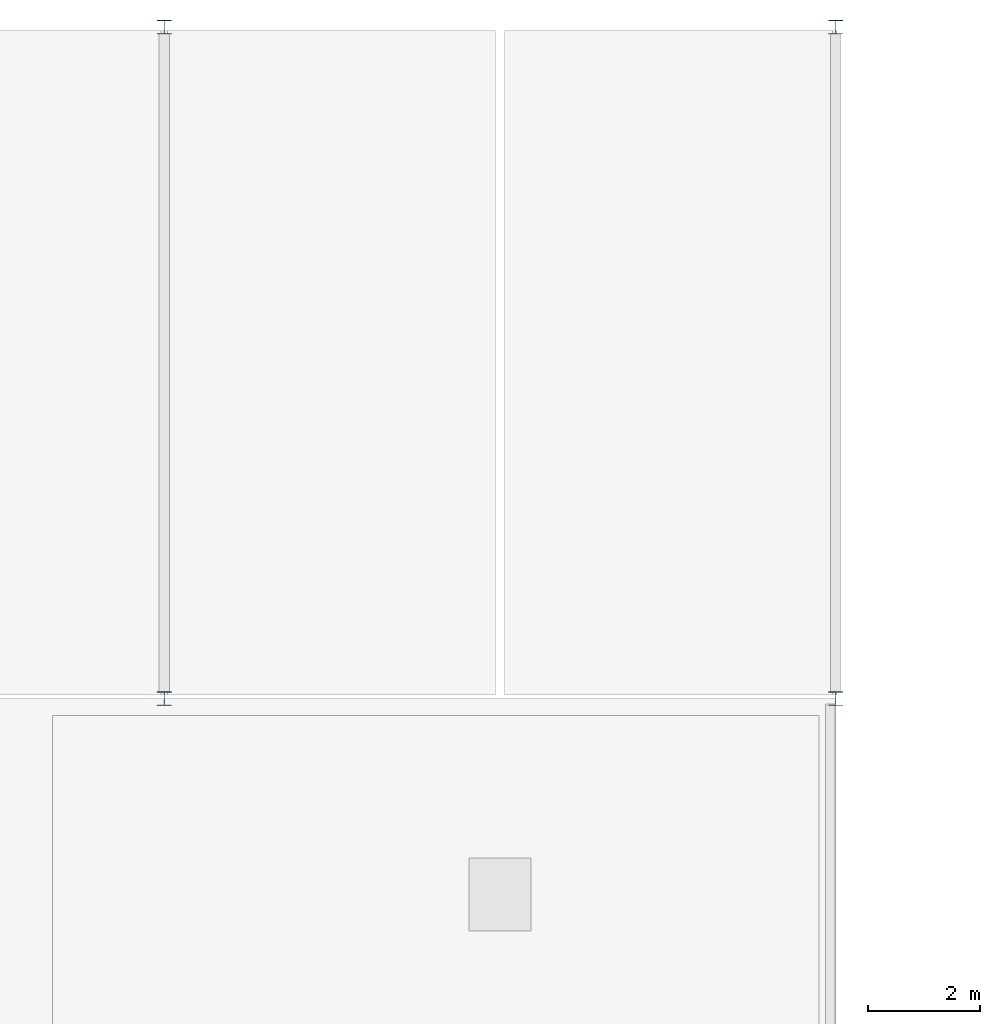
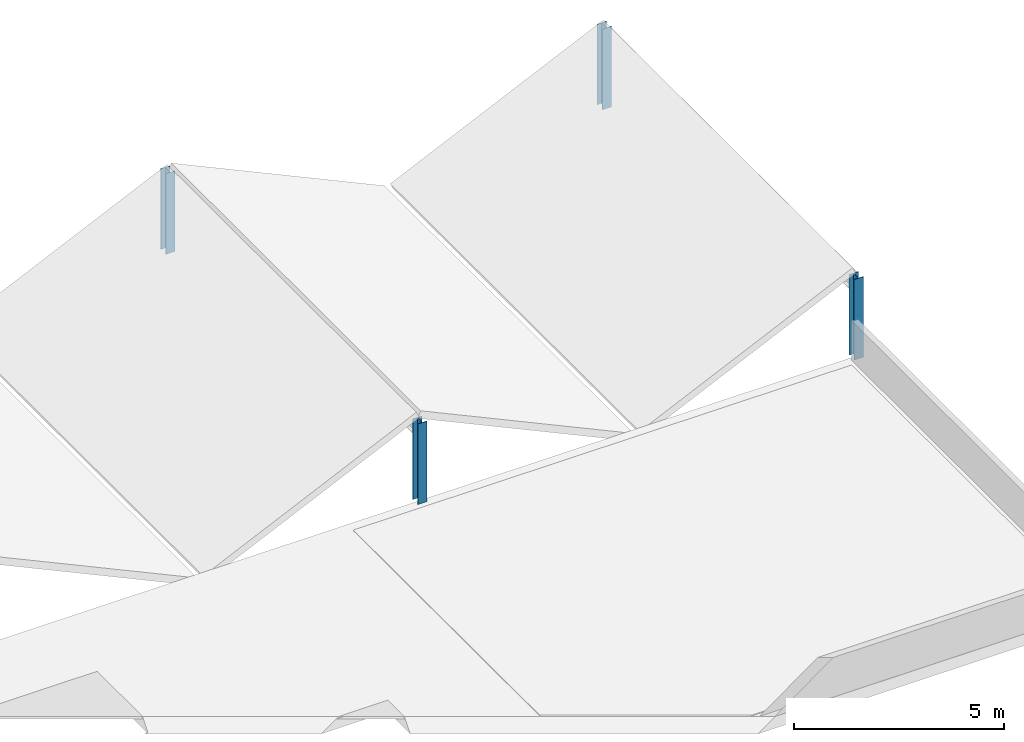
# One storey, part 6 of 83: 4 columns.
"""IFC4 building model written with IfcOpenShell, lengths in metres."""

from ifc_helpers import new_model, si_unit, direction, frame, origin, origin_2d, place, context, subcontext, project, spatial, i_section, extrude, material, material_profile, profile_set, type_object, element, save


model = new_model("IFC4")

# Units and contexts
model_context = context("Model", 3, precision=1e-05, world=origin(), true_north=direction((0.0, 1.0)))
body_context = subcontext(model_context, "Body", "Model", "MODEL_VIEW")
ifc_project = project(units=[si_unit("LENGTHUNIT", "METRE"), si_unit("AREAUNIT", "SQUARE_METRE"), si_unit("VOLUMEUNIT", "CUBIC_METRE"), si_unit("PLANEANGLEUNIT", "RADIAN"), si_unit("MASSUNIT", "GRAM", prefix="KILO")], contexts=[model_context])

# Site, building, storey
site_placement = place(None, origin())
site = spatial("IfcSite", under=ifc_project, at=site_placement, CompositionType="ELEMENT")
building_placement = place(site_placement, origin())
building = spatial("IfcBuilding", under=site, at=building_placement, Name="Pandanus Reach Market Hall", CompositionType="ELEMENT")
storey_placement = place(building_placement, frame((0.0, 0.0, 10.199951171875)))
storey = spatial("IfcBuildingStorey", under=building, at=storey_placement, Name="L02", CompositionType="ELEMENT", Elevation=10.199951171875)

# Columns
ifc_material = material(Name="Steel Grade 350 (350 MPa)", Category="steel")
ifc_material_profile = material_profile(ifc_material, i_section(OverallWidth=0.25390625, OverallDepth=0.25390625, WebThickness=0.008544921875, FlangeThickness=0.01416015625, at=origin_2d()), Name="250UC72.9", Category="LoadBearing")
ifc_profile_set = profile_set([ifc_material_profile], Name="Steel Grade 350 (350 MPa)")
column_type = type_object("IfcColumnType", Name="CL-UC250-I", PredefinedType="COLUMN", material=ifc_profile_set)
for number, where, z_axis, x_axis, name in (
    (1, (132.0, 108.0, 0.0), (0.0, 0.0, 1.0), (1.0, 0.0, 0.0), "Butterfly shell ridge support post L02.29"),
    (2, (132.0, 120.0, 0.0), (0.0, 0.0, 1.0), (1.0, 0.0, 0.0), "Butterfly shell ridge support post L02.30"),
    (3, (144.0, 108.0, 0.0), (0.0, 0.0, 1.0), (1.0, 0.0, 0.0), "Butterfly shell ridge support post L02.31"),
    (4, (144.0, 120.0, 0.0), (0.0, 0.0, 1.0), (1.0, 0.0, 0.0), "Butterfly shell ridge support post L02.32"),
):
    element("IfcColumn", number, at=place(storey_placement, frame(where, z_axis=z_axis, x_axis=x_axis)), inside=storey, type_object=column_type, Name=name, PredefinedType="COLUMN", context=body_context, shape_type="SweptSolid", body=[
        extrude(i_section(OverallWidth=0.25390625, OverallDepth=0.25390625, WebThickness=0.008544921875, FlangeThickness=0.01416015625, at=origin_2d()), origin(), (0.0, 0.0, 1.0), 2.340087890625),
    ])

save(model, "model.ifc")
